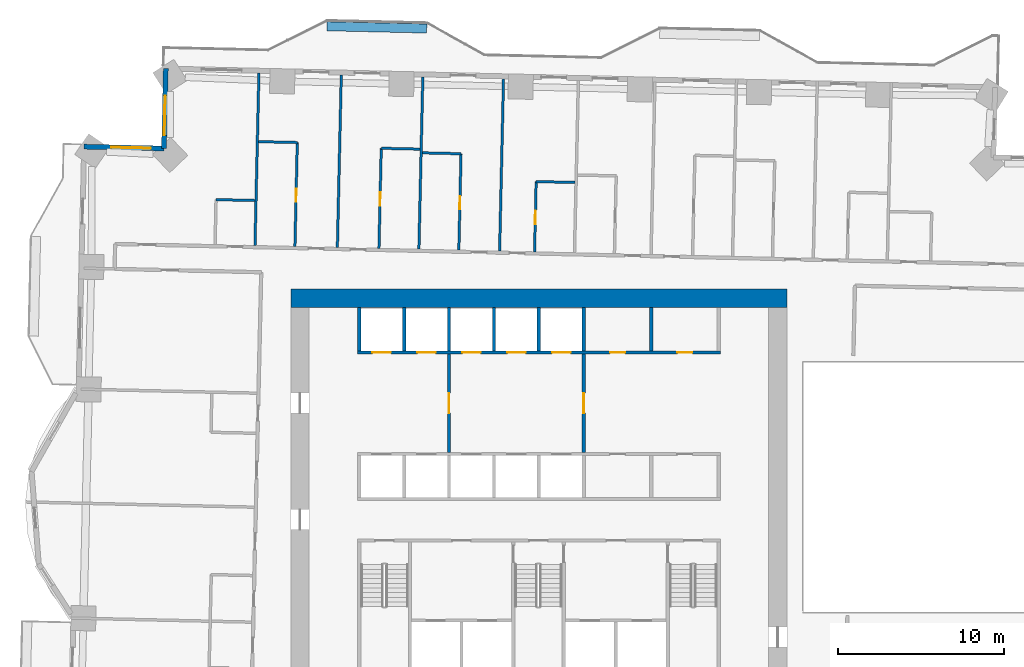
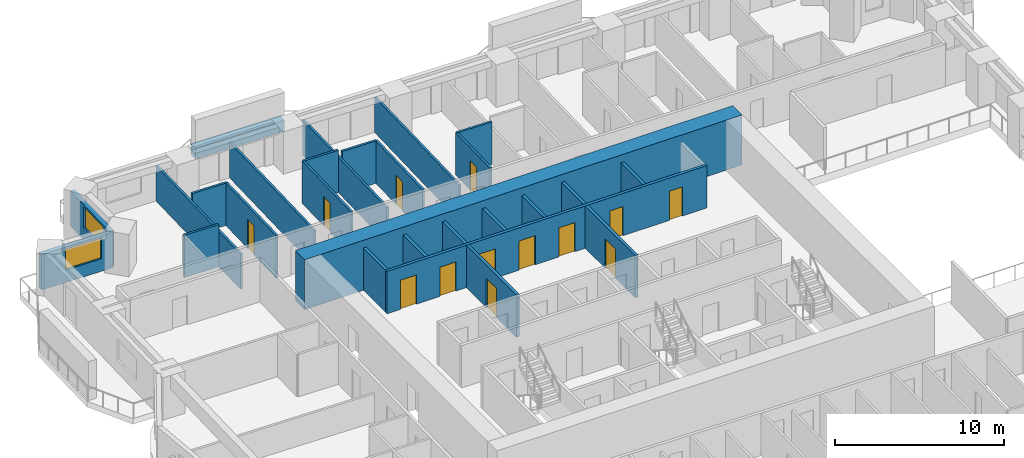
# One storey, part 12 of 20: 27 walls, 13 doors, 2 windows, 15 openings.
"""IFC4 building model written with IfcOpenShell, lengths in metres."""

from ifc_helpers import new_model, si_unit, direction, frame, frame_2d, origin, place, context, subcontext, project, spatial, rectangle, extrude, material, layer, layer_set, type_object, element, fill, save


model = new_model("IFC4")

# Units and contexts
model_context = context("Model", 3, precision=1e-05, world=origin(), true_north=direction((0.0, 1.0)))
body_context = subcontext(model_context, "Body", "Model", "MODEL_VIEW")
ifc_project = project(units=[si_unit("LENGTHUNIT", "METRE"), si_unit("AREAUNIT", "SQUARE_METRE"), si_unit("VOLUMEUNIT", "CUBIC_METRE"), si_unit("PLANEANGLEUNIT", "RADIAN"), si_unit("MASSUNIT", "GRAM", prefix="KILO")], contexts=[model_context])

# Site, building, storey
site_placement = place(None, origin())
site = spatial("IfcSite", under=ifc_project, at=site_placement, CompositionType="ELEMENT")
building_placement = place(site_placement, origin())
building = spatial("IfcBuilding", under=site, at=building_placement, Name="Mangrove Gate Tower", CompositionType="ELEMENT")
storey_placement = place(building_placement, frame((0.0, 0.0, 60.300048828125)))
storey = spatial("IfcBuildingStorey", under=building, at=storey_placement, Name="L14", CompositionType="ELEMENT", Elevation=60.300048828125)

# Wall, opening, door
ifc_material_1 = material(Name="Concrete C32/40", Category="concrete")
ifc_layer_1 = layer(ifc_material_1, 0.199951171875)
ifc_layer_set_1 = layer_set([ifc_layer_1], Name="Core lobby wall 200 C32/40")
wall_type_1 = type_object("IfcWallType", Name="Core lobby wall 200 C32/40", PredefinedType="STANDARD", material=ifc_layer_set_1)
wall_1_placement = place(storey_placement, frame((-5.39990234375, 2.10009765625, 0.0), z_axis=(0.0, 0.0, 1.0), x_axis=(0.0, 1.0, 0.0)))
wall_1 = element("IfcWall", 1, at=wall_1_placement, inside=storey, type_object=wall_type_1, Name="WALL-L14-CORE-35", PredefinedType="STANDARD", context=body_context, shape_type="SweptSolid", body=[
    extrude(rectangle(XDim=5.89990234375, YDim=0.199951171875, at=frame_2d((2.949951171875, 0.0))), origin(), (0.0, 0.0, 1.0), 3.050048828125),
])
opening_1_placement = place(wall_1_placement, frame((2.35009765625, 0.0, 0.0)))
opening_1 = element("IfcOpeningElement", 2, at=opening_1_placement, cuts=wall_1, Name="Opening FL12", PredefinedType="OPENING", context=body_context, shape_type="SweptSolid", body=[
    extrude(rectangle(XDim=1.199951171875, YDim=2.10009765625, at=frame_2d((0.60009765625, 1.050048828125))), frame((0.0, 0.10986328125, 0.0), z_axis=(0.0, -1.0, 0.0), x_axis=(1.0, 0.0, 0.0)), (0.0, 0.0, 1.0), 0.219970703125),
])
ifc_material_2 = material(Name="Fire-rated steel door set", Category="steel")
door_type_1 = type_object("IfcDoorType", Name="Lobby door FD60 1200x2100", OperationType="SINGLE_SWING_LEFT", PredefinedType="DOOR", material=ifc_material_2)
door_1_placement = place(opening_1_placement, origin())
door_1 = element("IfcDoor", 3, at=door_1_placement, inside=storey, type_object=door_type_1, Name="Lobby door lift lobby partition", OperationType="SINGLE_SWING_LEFT", OverallHeight=2.10009765625, OverallWidth=1.199951171875, PredefinedType="DOOR", context=body_context, shape_type="SweptSolid", body=[
    extrude(rectangle(XDim=1.199951171875, YDim=2.10009765625, at=frame_2d((0.60009765625, 1.050048828125))), frame((0.0, 0.02490234375, 0.0), z_axis=(0.0, -1.0, 0.0), x_axis=(1.0, 0.0, 0.0)), (0.0, 0.0, 1.0), 0.050048828125),
])
fill(opening_1, door_1)

wall_2_placement = place(storey_placement, frame((2.699951171875, 2.10009765625, 0.0), z_axis=(0.0, 0.0, 1.0), x_axis=(0.0, 1.0, 0.0)))
wall_2 = element("IfcWall", 4, at=wall_2_placement, inside=storey, type_object=wall_type_1, Name="WALL-L14-CORE-36", PredefinedType="STANDARD", context=body_context, shape_type="SweptSolid", body=[
    extrude(rectangle(XDim=5.89990234375, YDim=0.199951171875, at=frame_2d((2.949951171875, 0.0))), origin(), (0.0, 0.0, 1.0), 3.050048828125),
])
opening_2_placement = place(wall_2_placement, frame((2.35009765625, 0.0, 0.0)))
opening_2 = element("IfcOpeningElement", 5, at=opening_2_placement, cuts=wall_2, Name="Opening FL12", PredefinedType="OPENING", context=body_context, shape_type="SweptSolid", body=[
    extrude(rectangle(XDim=1.199951171875, YDim=2.10009765625, at=frame_2d((0.60009765625, 1.050048828125))), frame((0.0, 0.10986328125, 0.0), z_axis=(0.0, -1.0, 0.0), x_axis=(1.0, 0.0, 0.0)), (0.0, 0.0, 1.0), 0.219970703125),
])
door_2_placement = place(opening_2_placement, origin())
door_2 = element("IfcDoor", 6, at=door_2_placement, inside=storey, type_object=door_type_1, Name="Lobby door lift lobby partition", OperationType="SINGLE_SWING_LEFT", OverallHeight=2.10009765625, OverallWidth=1.199951171875, PredefinedType="DOOR", context=body_context, shape_type="SweptSolid", body=[
    extrude(rectangle(XDim=1.199951171875, YDim=2.10009765625, at=frame_2d((0.60009765625, 1.050048828125))), frame((0.0, 0.02490234375, 0.0), z_axis=(0.0, -1.0, 0.0), x_axis=(1.0, 0.0, 0.0)), (0.0, 0.0, 1.0), 0.050048828125),
])
fill(opening_2, door_2)

# Wall
ifc_material_3 = material(Name="Concrete C32/40", Category="concrete")
ifc_layer_2 = layer(ifc_material_3, 0.199951171875)
ifc_layer_set_2 = layer_set([ifc_layer_2], Name="Core room wall 200 C32/40")
wall_type_2 = type_object("IfcWallType", Name="Core room wall 200 C32/40", PredefinedType="STANDARD", material=ifc_layer_set_2)
wall_3_placement = place(storey_placement, frame((6.75, 8.199951171875, 0.0), z_axis=(0.0, 0.0, 1.0), x_axis=(0.0, 1.0, 0.0)))
element("IfcWall", 7, at=wall_3_placement, inside=storey, type_object=wall_type_2, Name="WALL-L14-CORE-33", PredefinedType="STANDARD", context=body_context, shape_type="SweptSolid", body=[
    extrude(rectangle(XDim=2.60009765625, YDim=0.199951171875, at=frame_2d((1.300048828125, 0.0))), origin(), (0.0, 0.0, 1.0), 3.050048828125),
])

# Wall, openings, doors
ifc_material_4 = material(Name="Concrete C70/85", Category="concrete")
ifc_layer_3 = layer(ifc_material_4, 0.199951171875)
ifc_layer_set_3 = layer_set([ifc_layer_3], Name="Core shaft wall 200 C70/85")
wall_type_3 = type_object("IfcWallType", Name="Core shaft wall 200 C70/85", PredefinedType="SHEAR", material=ifc_layer_set_3)
wall_4_placement = place(storey_placement, frame((-10.89990234375, 8.10009765625, 0.0), z_axis=(0.0, 0.0, 1.0), x_axis=(1.0, 0.0, 0.0)))
wall_4 = element("IfcWall", 8, at=wall_4_placement, inside=storey, type_object=wall_type_3, Name="WALL-L14-CORE-8", PredefinedType="SHEAR", context=body_context, shape_type="SweptSolid", body=[
    extrude(rectangle(XDim=21.7998046875, YDim=0.199951171875, at=frame_2d((10.89990234375, 0.0))), origin(), (0.0, 0.0, 1.0), 3.050048828125),
])
opening_3_placement = place(wall_4_placement, frame((0.89990234375, 0.0, 0.0)))
opening_3 = element("IfcOpeningElement", 9, at=opening_3_placement, cuts=wall_4, Name="Opening LD", PredefinedType="OPENING", context=body_context, shape_type="SweptSolid", body=[
    extrude(rectangle(XDim=1.10009765625, YDim=2.10009765625, at=frame_2d((0.550048828125, 1.050048828125))), frame((0.0, 0.10986328125, 0.0), z_axis=(0.0, -1.0, 0.0), x_axis=(1.0, 0.0, 0.0)), (0.0, 0.0, 1.0), 0.219970703125),
])
opening_4_placement = place(wall_4_placement, frame((3.60009765625, 0.0, 0.0)))
opening_4 = element("IfcOpeningElement", 10, at=opening_4_placement, cuts=wall_4, Name="Opening LD", PredefinedType="OPENING", context=body_context, shape_type="SweptSolid", body=[
    extrude(rectangle(XDim=1.10009765625, YDim=2.10009765625, at=frame_2d((0.550048828125, 1.050048828125))), frame((0.0, 0.10986328125, 0.0), z_axis=(0.0, -1.0, 0.0), x_axis=(1.0, 0.0, 0.0)), (0.0, 0.0, 1.0), 0.219970703125),
])
opening_5_placement = place(wall_4_placement, frame((6.300048828125, 0.0, 0.0)))
opening_5 = element("IfcOpeningElement", 11, at=opening_5_placement, cuts=wall_4, Name="Opening LD", PredefinedType="OPENING", context=body_context, shape_type="SweptSolid", body=[
    extrude(rectangle(XDim=1.10009765625, YDim=2.10009765625, at=frame_2d((0.550048828125, 1.050048828125))), frame((0.0, 0.10986328125, 0.0), z_axis=(0.0, -1.0, 0.0), x_axis=(1.0, 0.0, 0.0)), (0.0, 0.0, 1.0), 0.219970703125),
])
opening_6_placement = place(wall_4_placement, frame((9.0, 0.0, 0.0)))
opening_6 = element("IfcOpeningElement", 12, at=opening_6_placement, cuts=wall_4, Name="Opening LD", PredefinedType="OPENING", context=body_context, shape_type="SweptSolid", body=[
    extrude(rectangle(XDim=1.10009765625, YDim=2.10009765625, at=frame_2d((0.550048828125, 1.050048828125))), frame((0.0, 0.10986328125, 0.0), z_axis=(0.0, -1.0, 0.0), x_axis=(1.0, 0.0, 0.0)), (0.0, 0.0, 1.0), 0.219970703125),
])
opening_7_placement = place(wall_4_placement, frame((11.699951171875, 0.0, 0.0)))
opening_7 = element("IfcOpeningElement", 13, at=opening_7_placement, cuts=wall_4, Name="Opening LD", PredefinedType="OPENING", context=body_context, shape_type="SweptSolid", body=[
    extrude(rectangle(XDim=1.10009765625, YDim=2.10009765625, at=frame_2d((0.550048828125, 1.050048828125))), frame((0.0, 0.10986328125, 0.0), z_axis=(0.0, -1.0, 0.0), x_axis=(1.0, 0.0, 0.0)), (0.0, 0.0, 1.0), 0.219970703125),
])
opening_8_placement = place(wall_4_placement, frame((15.175048828125, 0.0, 0.0)))
opening_8 = element("IfcOpeningElement", 14, at=opening_8_placement, cuts=wall_4, Name="Opening RD", PredefinedType="OPENING", context=body_context, shape_type="SweptSolid", body=[
    extrude(rectangle(XDim=0.89990234375, YDim=2.10009765625, at=frame_2d((0.449951171875, 1.050048828125))), frame((0.0, 0.10986328125, 0.0), z_axis=(0.0, -1.0, 0.0), x_axis=(1.0, 0.0, 0.0)), (0.0, 0.0, 1.0), 0.219970703125),
])
opening_9_placement = place(wall_4_placement, frame((19.22509765625, 0.0, 0.0)))
opening_9 = element("IfcOpeningElement", 15, at=opening_9_placement, cuts=wall_4, Name="Opening KD", PredefinedType="OPENING", context=body_context, shape_type="SweptSolid", body=[
    extrude(rectangle(XDim=0.89990234375, YDim=2.10009765625, at=frame_2d((0.449951171875, 1.050048828125))), frame((0.0, 0.10986328125, 0.0), z_axis=(0.0, -1.0, 0.0), x_axis=(1.0, 0.0, 0.0)), (0.0, 0.0, 1.0), 0.219970703125),
])
ifc_material_5 = material(Name="Fire-rated steel door set", Category="steel")
door_type_2 = type_object("IfcDoorType", Name="Core room door FD30S 900x2100", OperationType="SINGLE_SWING_RIGHT", PredefinedType="DOOR", material=ifc_material_5)
door_3_placement = place(opening_9_placement, origin())
door_3 = element("IfcDoor", 16, at=door_3_placement, inside=storey, type_object=door_type_2, Name="Core room door Linen store", OperationType="SINGLE_SWING_RIGHT", OverallHeight=2.10009765625, OverallWidth=0.89990234375, PredefinedType="DOOR", context=body_context, shape_type="SweptSolid", body=[
    extrude(rectangle(XDim=0.89990234375, YDim=2.10009765625, at=frame_2d((0.449951171875, 1.050048828125))), frame((0.0, 0.02490234375, 0.0), z_axis=(0.0, -1.0, 0.0), x_axis=(1.0, 0.0, 0.0)), (0.0, 0.0, 1.0), 0.050048828125),
])
fill(opening_9, door_3)
ifc_material_6 = material(Name="Stainless steel 316", Category="steel")
door_type_3 = type_object("IfcDoorType", Name="Lift landing door 1100x2100", OperationType="SLIDING_TO_LEFT", PredefinedType="DOOR", material=ifc_material_6)
door_4_placement = place(opening_3_placement, origin())
door_4 = element("IfcDoor", 17, at=door_4_placement, inside=storey, type_object=door_type_3, Name="Landing door LD P06", OperationType="SLIDING_TO_LEFT", OverallHeight=2.10009765625, OverallWidth=1.10009765625, PredefinedType="DOOR", context=body_context, shape_type="SweptSolid", body=[
    extrude(rectangle(XDim=1.10009765625, YDim=2.10009765625, at=frame_2d((0.550048828125, 1.050048828125))), frame((0.0, 0.02490234375, 0.0), z_axis=(0.0, -1.0, 0.0), x_axis=(1.0, 0.0, 0.0)), (0.0, 0.0, 1.0), 0.050048828125),
])
fill(opening_3, door_4)
door_5_placement = place(opening_4_placement, origin())
door_5 = element("IfcDoor", 18, at=door_5_placement, inside=storey, type_object=door_type_3, Name="Landing door LD P07", OperationType="SLIDING_TO_LEFT", OverallHeight=2.10009765625, OverallWidth=1.10009765625, PredefinedType="DOOR", context=body_context, shape_type="SweptSolid", body=[
    extrude(rectangle(XDim=1.10009765625, YDim=2.10009765625, at=frame_2d((0.550048828125, 1.050048828125))), frame((0.0, 0.02490234375, 0.0), z_axis=(0.0, -1.0, 0.0), x_axis=(1.0, 0.0, 0.0)), (0.0, 0.0, 1.0), 0.050048828125),
])
fill(opening_4, door_5)
door_6_placement = place(opening_5_placement, origin())
door_6 = element("IfcDoor", 19, at=door_6_placement, inside=storey, type_object=door_type_3, Name="Landing door LD P08", OperationType="SLIDING_TO_LEFT", OverallHeight=2.10009765625, OverallWidth=1.10009765625, PredefinedType="DOOR", context=body_context, shape_type="SweptSolid", body=[
    extrude(rectangle(XDim=1.10009765625, YDim=2.10009765625, at=frame_2d((0.550048828125, 1.050048828125))), frame((0.0, 0.02490234375, 0.0), z_axis=(0.0, -1.0, 0.0), x_axis=(1.0, 0.0, 0.0)), (0.0, 0.0, 1.0), 0.050048828125),
])
fill(opening_5, door_6)
door_7_placement = place(opening_6_placement, origin())
door_7 = element("IfcDoor", 20, at=door_7_placement, inside=storey, type_object=door_type_3, Name="Landing door LD P09", OperationType="SLIDING_TO_LEFT", OverallHeight=2.10009765625, OverallWidth=1.10009765625, PredefinedType="DOOR", context=body_context, shape_type="SweptSolid", body=[
    extrude(rectangle(XDim=1.10009765625, YDim=2.10009765625, at=frame_2d((0.550048828125, 1.050048828125))), frame((0.0, 0.02490234375, 0.0), z_axis=(0.0, -1.0, 0.0), x_axis=(1.0, 0.0, 0.0)), (0.0, 0.0, 1.0), 0.050048828125),
])
fill(opening_6, door_7)
door_8_placement = place(opening_7_placement, origin())
door_8 = element("IfcDoor", 21, at=door_8_placement, inside=storey, type_object=door_type_3, Name="Landing door LD P10", OperationType="SLIDING_TO_LEFT", OverallHeight=2.10009765625, OverallWidth=1.10009765625, PredefinedType="DOOR", context=body_context, shape_type="SweptSolid", body=[
    extrude(rectangle(XDim=1.10009765625, YDim=2.10009765625, at=frame_2d((0.550048828125, 1.050048828125))), frame((0.0, 0.02490234375, 0.0), z_axis=(0.0, -1.0, 0.0), x_axis=(1.0, 0.0, 0.0)), (0.0, 0.0, 1.0), 0.050048828125),
])
fill(opening_7, door_8)
ifc_material_7 = material(Name="Fire-rated steel door set", Category="steel")
door_type_4 = type_object("IfcDoorType", Name="Riser door FD30S 900x2100", OperationType="SINGLE_SWING_LEFT", PredefinedType="DOOR", material=ifc_material_7)
door_9_placement = place(opening_8_placement, origin())
door_9 = element("IfcDoor", 22, at=door_9_placement, inside=storey, type_object=door_type_4, Name="Riser door Electrical room", OperationType="SINGLE_SWING_LEFT", OverallHeight=2.10009765625, OverallWidth=0.89990234375, PredefinedType="DOOR", context=body_context, shape_type="SweptSolid", body=[
    extrude(rectangle(XDim=0.89990234375, YDim=2.10009765625, at=frame_2d((0.449951171875, 1.050048828125))), frame((0.0, 0.02490234375, 0.0), z_axis=(0.0, -1.0, 0.0), x_axis=(1.0, 0.0, 0.0)), (0.0, 0.0, 1.0), 0.050048828125),
])
fill(opening_8, door_9)

# Walls
for number, where, z_axis, x_axis, name in (
    (23, (-10.800048828125, 8.199951171875, 0.0), (0.0, 0.0, 1.0), (0.0, 1.0, 0.0), "WALL-L14-CORE-27"),
    (24, (-8.10009765625, 8.199951171875, 0.0), (0.0, 0.0, 1.0), (0.0, 1.0, 0.0), "WALL-L14-CORE-28"),
    (25, (-5.39990234375, 8.199951171875, 0.0), (0.0, 0.0, 1.0), (0.0, 1.0, 0.0), "WALL-L14-CORE-29"),
    (26, (-2.699951171875, 8.199951171875, 0.0), (0.0, 0.0, 1.0), (0.0, 1.0, 0.0), "WALL-L14-CORE-30"),
    (27, (0.0, 8.199951171875, 0.0), (0.0, 0.0, 1.0), (0.0, 1.0, 0.0), "WALL-L14-CORE-31"),
    (28, (2.699951171875, 8.199951171875, 0.0), (0.0, 0.0, 1.0), (0.0, 1.0, 0.0), "WALL-L14-CORE-32"),
):
    element("IfcWall", number, at=place(storey_placement, frame(where, z_axis=z_axis, x_axis=x_axis)), inside=storey, type_object=wall_type_3, Name=name, PredefinedType="SHEAR", context=body_context, shape_type="SweptSolid", body=[
        extrude(rectangle(XDim=2.60009765625, YDim=0.199951171875, at=frame_2d((1.300048828125, 0.0))), origin(), (0.0, 0.0, 1.0), 3.050048828125),
    ])
ifc_material_8 = material(Name="Concrete C70/85", Category="concrete")
ifc_layer_4 = layer(ifc_material_8, 1.10009765625)
ifc_layer_set_4 = layer_set([ifc_layer_4], Name="Core wall 1100 C70/85")
wall_type_4 = type_object("IfcWallType", Name="Core wall 1100 C70/85", PredefinedType="SHEAR", material=ifc_layer_set_4)
wall_5_placement = place(storey_placement, frame((-14.89990234375, 11.35009765625, 0.0), z_axis=(0.0, 0.0, 1.0), x_axis=(1.0, 0.0, 0.0)))
element("IfcWall", 29, at=wall_5_placement, inside=storey, type_object=wall_type_4, Name="WALL-L14-CORE-2", PredefinedType="SHEAR", context=body_context, shape_type="SweptSolid", body=[
    extrude(rectangle(XDim=29.7998046875, YDim=1.10009765625, at=frame_2d((14.89990234375, 0.0))), origin(), (0.0, 0.0, 1.0), 3.599853515625),
])

# Wall, opening, window
ifc_material_9 = material(Name="Limestone", Category="masonry")
ifc_layer_5 = layer(ifc_material_9, 0.0400390625, Name="Limestone cladding")
ifc_material_10 = material(Name="Ventilated air gap")
ifc_layer_6 = layer(ifc_material_10, 0.0400390625, Name="Ventilated cavity")
ifc_material_11 = material(Name="Mineral wool insulation")
ifc_layer_7 = layer(ifc_material_11, 0.06005859375, Name="Insulation")
ifc_material_12 = material(Name="Breather membrane")
ifc_layer_8 = layer(ifc_material_12, 0.001953125, Name="Breather membrane")
ifc_material_13 = material(Name="Concrete C20/25 blockwork", Category="masonry")
ifc_layer_9 = layer(ifc_material_13, 0.14990234375, Name="Blockwork backing wall")
ifc_material_14 = material(Name="Gypsum plaster")
ifc_layer_10 = layer(ifc_material_14, 0.008056640625, Name="Internal plaster")
ifc_layer_set_5 = layer_set([ifc_layer_5, ifc_layer_6, ifc_layer_7, ifc_layer_8, ifc_layer_9, ifc_layer_10], Name="External wall 300 limestone cladding")
wall_type_5 = type_object("IfcWallType", Name="External wall 300 limestone cladding", PredefinedType="SOLIDWALL", material=ifc_layer_set_5)
wall_6_placement = place(storey_placement, frame((-22.416015625, 25.152099609375, 0.0), z_axis=(0.0, 0.0, 1.0), x_axis=(-0.022683280499, -0.999742701292, 0.0)))
wall_6 = element("IfcWall", 30, at=wall_6_placement, inside=storey, type_object=wall_type_5, Name="WALL-L14-W6", PredefinedType="SOLIDWALL", context=body_context, shape_type="SweptSolid", body=[
    extrude(rectangle(XDim=4.80029296875, YDim=0.300048828125, at=frame_2d((2.400146484375, 0.0))), origin(), (0.0, 0.0, 1.0), 2.550048828125),
])
opening_10_placement = place(wall_6_placement, frame((1.616943359375, 0.0, 0.89990234375)))
opening_10 = element("IfcOpeningElement", 31, at=opening_10_placement, cuts=wall_6, Name="Opening W2", PredefinedType="OPENING", context=body_context, shape_type="SweptSolid", body=[
    extrude(rectangle(XDim=2.39990234375, YDim=1.5, at=frame_2d((1.199951171875, 0.75))), frame((0.0, 0.159912109375, 0.0), z_axis=(0.0, -1.0, 0.0), x_axis=(1.0, 0.0, 0.0)), (0.0, 0.0, 1.0), 0.320068359375),
])
ifc_material_15 = material(Name="Aluminium frame with double-glazed low-e glass", Category="aluminium")
window_type = type_object("IfcWindowType", Name="Corner room window 2400x1500", PartitioningType="DOUBLE_PANEL_VERTICAL", PredefinedType="WINDOW", material=ifc_material_15)
window_1_placement = place(opening_10_placement, origin())
window_1 = element("IfcWindow", 32, at=window_1_placement, inside=storey, type_object=window_type, Name="WIN-L14-W6-1", OverallHeight=1.5, OverallWidth=2.39990234375, PartitioningType="DOUBLE_PANEL_VERTICAL", PredefinedType="WINDOW", context=body_context, shape_type="SweptSolid", body=[
    extrude(rectangle(XDim=2.39990234375, YDim=1.5, at=frame_2d((1.199951171875, 0.75))), frame((0.0, 0.030029296875, 0.0), z_axis=(0.0, -1.0, 0.0), x_axis=(1.0, 0.0, 0.0)), (0.0, 0.0, 1.0), 0.06005859375),
])
fill(opening_10, window_1)

wall_7_placement = place(storey_placement, frame((-22.52490234375, 20.35302734375, 0.0), z_axis=(0.0, 0.0, 1.0), x_axis=(-0.999742701292, 0.022683280499, 0.0)))
wall_7 = element("IfcWall", 33, at=wall_7_placement, inside=storey, type_object=wall_type_5, Name="WALL-L14-N7", PredefinedType="SOLIDWALL", context=body_context, shape_type="SweptSolid", body=[
    extrude(rectangle(XDim=4.80029296875, YDim=0.300048828125, at=frame_2d((2.400146484375, 0.0))), origin(), (0.0, 0.0, 1.0), 2.550048828125),
])
opening_11_placement = place(wall_7_placement, frame((0.781982421875, 0.0, 0.89990234375)))
opening_11 = element("IfcOpeningElement", 34, at=opening_11_placement, cuts=wall_7, Name="Opening W2", PredefinedType="OPENING", context=body_context, shape_type="SweptSolid", body=[
    extrude(rectangle(XDim=2.39990234375, YDim=1.5, at=frame_2d((1.199951171875, 0.75))), frame((0.0, 0.159912109375, 0.0), z_axis=(0.0, -1.0, 0.0), x_axis=(1.0, 0.0, 0.0)), (0.0, 0.0, 1.0), 0.320068359375),
])
window_2_placement = place(opening_11_placement, origin())
window_2 = element("IfcWindow", 35, at=window_2_placement, inside=storey, type_object=window_type, Name="WIN-L14-N7-1", OverallHeight=1.5, OverallWidth=2.39990234375, PartitioningType="DOUBLE_PANEL_VERTICAL", PredefinedType="WINDOW", context=body_context, shape_type="SweptSolid", body=[
    extrude(rectangle(XDim=2.39990234375, YDim=1.5, at=frame_2d((1.199951171875, 0.75))), frame((0.0, 0.030029296875, 0.0), z_axis=(0.0, -1.0, 0.0), x_axis=(1.0, 0.0, 0.0)), (0.0, 0.0, 1.0), 0.06005859375),
])
fill(opening_11, window_2)

# Wall
ifc_material_16 = material(Name="Gypsum board on steel stud, EI 60", Category="steel")
ifc_layer_11 = layer(ifc_material_16, 0.14990234375)
ifc_layer_set_6 = layer_set([ifc_layer_11], Name="Party wall 150 EI 60")
wall_type_6 = type_object("IfcWallType", Name="Party wall 150 EI 60", PredefinedType="PARTITIONING", material=ifc_layer_set_6)
wall_8_placement = place(storey_placement, frame((-17.05810546875, 14.527099609375, 0.0), z_axis=(0.0, 0.0, 1.0), x_axis=(0.022714440015, 0.999741993824, 0.0)))
element("IfcWall", 36, at=wall_8_placement, inside=storey, type_object=wall_type_6, Name="WALL-L14-059", PredefinedType="PARTITIONING", context=body_context, shape_type="SweptSolid", body=[
    extrude(rectangle(XDim=10.3505859375, YDim=0.14990234375, at=frame_2d((5.17529296875, 0.0))), origin(), (0.0, 0.0, 1.0), 2.550048828125),
])

# Wall, opening, door
wall_9_placement = place(storey_placement, frame((-14.657958984375, 14.472900390625, 0.0), z_axis=(0.0, 0.0, 1.0), x_axis=(0.022576530581, 0.999745117651, 0.0)))
wall_9 = element("IfcWall", 37, at=wall_9_placement, inside=storey, type_object=wall_type_6, Name="WALL-L14-060", PredefinedType="PARTITIONING", context=body_context, shape_type="SweptSolid", body=[
    extrude(rectangle(XDim=6.23974609375, YDim=0.14990234375, at=frame_2d((3.119873046875, 0.0))), origin(), (0.0, 0.0, 1.0), 3.050048828125),
])
opening_12_placement = place(wall_9_placement, frame((2.669921875, 0.0, 0.0)))
opening_12 = element("IfcOpeningElement", 38, at=opening_12_placement, cuts=wall_9, Name="Opening ED", PredefinedType="OPENING", context=body_context, shape_type="SweptSolid", body=[
    extrude(rectangle(XDim=0.800048828125, YDim=2.10009765625, at=frame_2d((0.39990234375, 1.050048828125))), frame((0.0, 0.0849609375, 0.0), z_axis=(0.0, -1.0, 0.0), x_axis=(1.0, 0.0, 0.0)), (0.0, 0.0, 1.0), 0.169921875),
])
ifc_material_17 = material(Name="Timber door leaf", Category="wood")
door_type_5 = type_object("IfcDoorType", Name="En-suite door 800", OperationType="SINGLE_SWING_LEFT", PredefinedType="DOOR", material=ifc_material_17)
door_10_placement = place(opening_12_placement, origin())
door_10 = element("IfcDoor", 39, at=door_10_placement, inside=storey, type_object=door_type_5, Name="DOOR-L14-ENS-c517", OperationType="SINGLE_SWING_LEFT", OverallHeight=2.10009765625, OverallWidth=0.800048828125, PredefinedType="DOOR", context=body_context, shape_type="SweptSolid", body=[
    extrude(rectangle(XDim=0.800048828125, YDim=2.10009765625, at=frame_2d((0.39990234375, 1.050048828125))), frame((0.0, 0.02490234375, 0.0), z_axis=(0.0, -1.0, 0.0), x_axis=(1.0, 0.0, 0.0)), (0.0, 0.0, 1.0), 0.050048828125),
])
fill(opening_12, door_10)

# Wall
wall_10_placement = place(storey_placement, frame((-12.10888671875, 14.4150390625, 0.0), z_axis=(0.0, 0.0, 1.0), x_axis=(0.022690865001, 0.999742529177, 0.0)))
element("IfcWall", 40, at=wall_10_placement, inside=storey, type_object=wall_type_6, Name="WALL-L14-061", PredefinedType="PARTITIONING", context=body_context, shape_type="SweptSolid", body=[
    extrude(rectangle(XDim=10.3505859375, YDim=0.14990234375, at=frame_2d((5.17529296875, 0.0))), origin(), (0.0, 0.0, 1.0), 2.550048828125),
])

# Wall, opening, door
wall_11_placement = place(storey_placement, frame((-9.610107421875, 14.35791015625, 0.0), z_axis=(0.0, 0.0, 1.0), x_axis=(0.022827512011, 0.999739418396, 0.0)))
wall_11 = element("IfcWall", 41, at=wall_11_placement, inside=storey, type_object=wall_type_6, Name="WALL-L14-062", PredefinedType="PARTITIONING", context=body_context, shape_type="SweptSolid", body=[
    extrude(rectangle(XDim=6.010498046875, YDim=0.14990234375, at=frame_2d((3.00537109375, 0.0))), origin(), (0.0, 0.0, 1.0), 3.050048828125),
])
opening_13_placement = place(wall_11_placement, frame((2.554931640625, 0.0, 0.0)))
opening_13 = element("IfcOpeningElement", 42, at=opening_13_placement, cuts=wall_11, Name="Opening ED", PredefinedType="OPENING", context=body_context, shape_type="SweptSolid", body=[
    extrude(rectangle(XDim=0.800048828125, YDim=2.10009765625, at=frame_2d((0.39990234375, 1.050048828125))), frame((0.0, 0.0849609375, 0.0), z_axis=(0.0, -1.0, 0.0), x_axis=(1.0, 0.0, 0.0)), (0.0, 0.0, 1.0), 0.169921875),
])
door_11_placement = place(opening_13_placement, origin())
door_11 = element("IfcDoor", 43, at=door_11_placement, inside=storey, type_object=door_type_5, Name="DOOR-L14-ENS-c516", OperationType="SINGLE_SWING_RIGHT", OverallHeight=2.10009765625, OverallWidth=0.800048828125, PredefinedType="DOOR", context=body_context, shape_type="SweptSolid", body=[
    extrude(rectangle(XDim=0.800048828125, YDim=2.10009765625, at=frame_2d((0.39990234375, 1.050048828125))), frame((0.0, 0.02490234375, 0.0), z_axis=(0.0, -1.0, 0.0), x_axis=(1.0, 0.0, 0.0)), (0.0, 0.0, 1.0), 0.050048828125),
])
fill(opening_13, door_11)

# Wall
wall_12_placement = place(storey_placement, frame((-7.2099609375, 14.303955078125, 0.0), z_axis=(0.0, 0.0, 1.0), x_axis=(0.022693005506, 0.999742480592, 0.0)))
element("IfcWall", 44, at=wall_12_placement, inside=storey, type_object=wall_type_6, Name="WALL-L14-063", PredefinedType="PARTITIONING", context=body_context, shape_type="SweptSolid", body=[
    extrude(rectangle(XDim=10.349609375, YDim=0.14990234375, at=frame_2d((5.1748046875, 0.0))), origin(), (0.0, 0.0, 1.0), 2.550048828125),
])

# Wall, opening, door
wall_13_placement = place(storey_placement, frame((-4.81103515625, 14.25, 0.0), z_axis=(0.0, 0.0, 1.0), x_axis=(0.022644773889, 0.999743574231, 0.0)))
wall_13 = element("IfcWall", 45, at=wall_13_placement, inside=storey, type_object=wall_type_6, Name="WALL-L14-064", PredefinedType="PARTITIONING", context=body_context, shape_type="SweptSolid", body=[
    extrude(rectangle(XDim=5.78955078125, YDim=0.14990234375, at=frame_2d((2.894775390625, 0.0))), origin(), (0.0, 0.0, 1.0), 3.050048828125),
])
opening_14_placement = place(wall_13_placement, frame((2.445068359375, 0.0, 0.0)))
opening_14 = element("IfcOpeningElement", 46, at=opening_14_placement, cuts=wall_13, Name="Opening ED", PredefinedType="OPENING", context=body_context, shape_type="SweptSolid", body=[
    extrude(rectangle(XDim=0.800048828125, YDim=2.10009765625, at=frame_2d((0.39990234375, 1.050048828125))), frame((0.0, 0.0849609375, 0.0), z_axis=(0.0, -1.0, 0.0), x_axis=(1.0, 0.0, 0.0)), (0.0, 0.0, 1.0), 0.169921875),
])
door_12_placement = place(opening_14_placement, origin())
door_12 = element("IfcDoor", 47, at=door_12_placement, inside=storey, type_object=door_type_5, Name="DOOR-L14-ENS-c515", OperationType="SINGLE_SWING_LEFT", OverallHeight=2.10009765625, OverallWidth=0.800048828125, PredefinedType="DOOR", context=body_context, shape_type="SweptSolid", body=[
    extrude(rectangle(XDim=0.800048828125, YDim=2.10009765625, at=frame_2d((0.39990234375, 1.050048828125))), frame((0.0, 0.02490234375, 0.0), z_axis=(0.0, -1.0, 0.0), x_axis=(1.0, 0.0, 0.0)), (0.0, 0.0, 1.0), 0.050048828125),
])
fill(opening_14, door_12)

# Wall
wall_14_placement = place(storey_placement, frame((-2.362060546875, 14.194091796875, 0.0), z_axis=(0.0, 0.0, 1.0), x_axis=(0.022716582742, 0.999741945138, 0.0)))
element("IfcWall", 48, at=wall_14_placement, inside=storey, type_object=wall_type_6, Name="WALL-L14-065", PredefinedType="PARTITIONING", context=body_context, shape_type="SweptSolid", body=[
    extrude(rectangle(XDim=10.349609375, YDim=0.14990234375, at=frame_2d((5.1748046875, 0.0))), origin(), (0.0, 0.0, 1.0), 2.550048828125),
])

# Wall, opening, door
wall_15_placement = place(storey_placement, frame((-0.261962890625, 14.14599609375, 0.0), z_axis=(0.0, 0.0, 1.0), x_axis=(0.0227358609, 0.999741506905, 0.0)))
wall_15 = element("IfcWall", 49, at=wall_15_placement, inside=storey, type_object=wall_type_6, Name="WALL-L14-066", PredefinedType="PARTITIONING", context=body_context, shape_type="SweptSolid", body=[
    extrude(rectangle(XDim=4.219970703125, YDim=0.14990234375, at=frame_2d((2.10986328125, 0.0))), origin(), (0.0, 0.0, 1.0), 3.050048828125),
])
opening_15_placement = place(wall_15_placement, frame((1.659912109375, 0.0, 0.0)))
opening_15 = element("IfcOpeningElement", 50, at=opening_15_placement, cuts=wall_15, Name="Opening ED", PredefinedType="OPENING", context=body_context, shape_type="SweptSolid", body=[
    extrude(rectangle(XDim=0.800048828125, YDim=2.10009765625, at=frame_2d((0.39990234375, 1.050048828125))), frame((0.0, 0.0849609375, 0.0), z_axis=(0.0, -1.0, 0.0), x_axis=(1.0, 0.0, 0.0)), (0.0, 0.0, 1.0), 0.169921875),
])
door_13_placement = place(opening_15_placement, origin())
door_13 = element("IfcDoor", 51, at=door_13_placement, inside=storey, type_object=door_type_5, Name="DOOR-L14-ENS-c414", OperationType="SINGLE_SWING_RIGHT", OverallHeight=2.10009765625, OverallWidth=0.800048828125, PredefinedType="DOOR", context=body_context, shape_type="SweptSolid", body=[
    extrude(rectangle(XDim=0.800048828125, YDim=2.10009765625, at=frame_2d((0.39990234375, 1.050048828125))), frame((0.0, 0.02490234375, 0.0), z_axis=(0.0, -1.0, 0.0), x_axis=(1.0, 0.0, 0.0)), (0.0, 0.0, 1.0), 0.050048828125),
])
fill(opening_15, door_13)

# Walls
for number, where, z_axis, x_axis, name in (
    (52, (-19.39404296875, 17.281005859375, 0.0), (0.0, 0.0, 1.0), (0.999740260747, -0.02279059109, 0.0), "WALL-L14-077"),
    (53, (-0.1640625, 18.364990234375, 0.0), (0.0, 0.0, 1.0), (0.999740260747, -0.02279059109, 0.0), "WALL-L14-080"),
    (54, (-7.001953125, 20.091064453125, 0.0), (0.0, 0.0, 1.0), (0.999740260747, -0.02279059109, 0.0), "WALL-L14-082"),
    (55, (-9.470947265625, 20.366943359375, 0.0), (0.0, 0.0, 1.0), (0.999740260747, -0.02279059109, 0.0), "WALL-L14-084"),
):
    element("IfcWall", number, at=place(storey_placement, frame(where, z_axis=z_axis, x_axis=x_axis)), inside=storey, type_object=wall_type_6, Name=name, PredefinedType="PARTITIONING", context=body_context, shape_type="SweptSolid", body=[
        extrude(rectangle(XDim=2.324462890625, YDim=0.14990234375, at=frame_2d((1.162109375, 0.0))), origin(), (0.0, 0.0, 1.0), 3.050048828125),
    ])
wall_16_placement = place(storey_placement, frame((-16.839111328125, 20.763916015625, 0.0), z_axis=(0.0, 0.0, 1.0), x_axis=(0.99974031529, -0.022788198363, 0.0)))
element("IfcWall", 56, at=wall_16_placement, inside=storey, type_object=wall_type_6, Name="WALL-L14-086", PredefinedType="PARTITIONING", context=body_context, shape_type="SweptSolid", body=[
    extrude(rectangle(XDim=2.32470703125, YDim=0.14990234375, at=frame_2d((1.162353515625, 0.0))), origin(), (0.0, 0.0, 1.0), 3.050048828125),
])
ifc_material_18 = material(Name="Concrete C32/40", Category="concrete")
ifc_layer_12 = layer(ifc_material_18, 0.199951171875, Name="Planter trough wall")
ifc_material_19 = material(Name="Bituminous waterproofing membrane")
ifc_layer_13 = layer(ifc_material_19, 0.0048828125, Name="Waterproofing")
ifc_material_20 = material(Name="Drainage board and gravel")
ifc_layer_14 = layer(ifc_material_20, 0.044921875, Name="Drainage layer")
ifc_material_21 = material(Name="Planting soil")
ifc_layer_15 = layer(ifc_material_21, 0.300048828125, Name="Growing medium")
ifc_layer_set_7 = layer_set([ifc_layer_12, ifc_layer_13, ifc_layer_14, ifc_layer_15], Name="Planter wall 550 C32/40")
wall_type_7 = type_object("IfcWallType", Name="Planter wall 550 C32/40", PredefinedType="USERDEFINED", material=ifc_layer_set_7)
wall_17_placement = place(storey_placement, frame((-12.738037109375, 27.697998046875, 0.0), z_axis=(0.0, 0.0, 1.0), x_axis=(0.999743178102, -0.022662255828, 0.0)))
element("IfcWall", 57, at=wall_17_placement, inside=storey, type_object=wall_type_7, Name="PLANTER L14 N1.1", ObjectType="PLANTER", PredefinedType="USERDEFINED", context=body_context, shape_type="SweptSolid", body=[
    extrude(rectangle(XDim=6.00048828125, YDim=0.550048828125, at=frame_2d((3.000244140625, 0.0))), origin(), (0.0, 0.0, 1.0), 0.800048828125),
])

save(model, "model.ifc")
